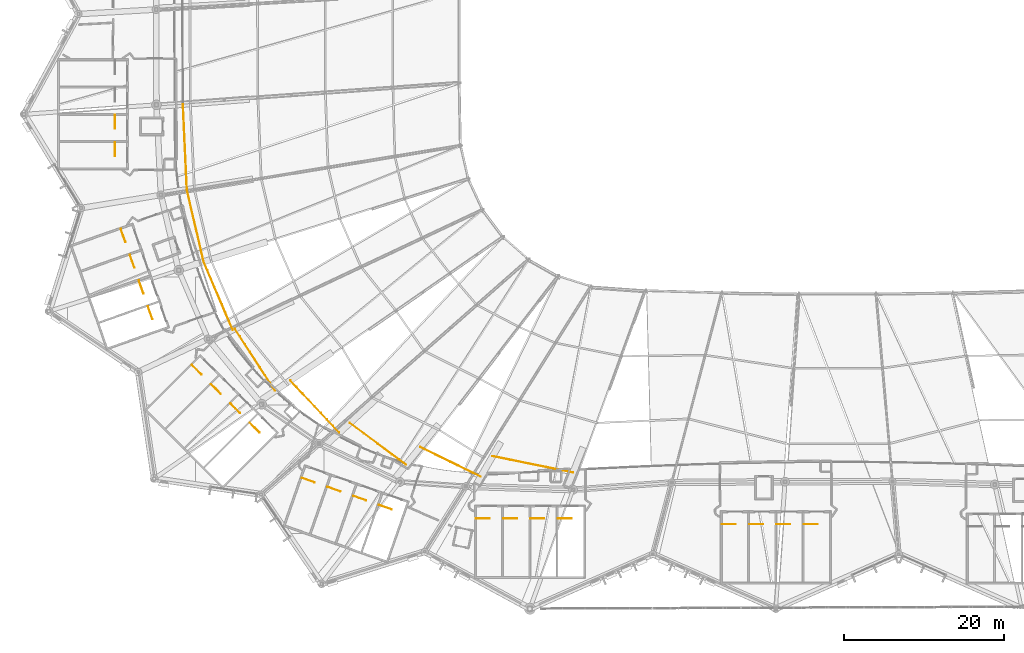
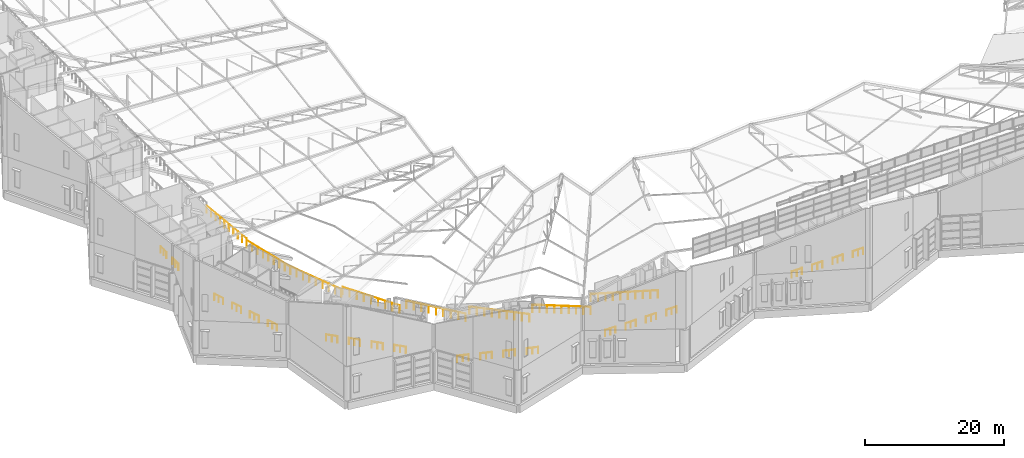
# One storey, part 338 of 344: 30 railings.
"""IFC4 building model written with IfcOpenShell, lengths in metres."""

from ifc_helpers import new_model, si_unit, direction, frame, origin, origin_2d, place, context, subcontext, project, spatial, circle, extrude, material, type_object, element, save


model = new_model("IFC4")

# Units and contexts
model_context = context("Model", 3, precision=1e-05, world=origin(), true_north=direction((0.0, 1.0)))
body_context = subcontext(model_context, "Body", "Model", "MODEL_VIEW")
ifc_project = project(units=[si_unit("LENGTHUNIT", "METRE"), si_unit("AREAUNIT", "SQUARE_METRE"), si_unit("VOLUMEUNIT", "CUBIC_METRE"), si_unit("PLANEANGLEUNIT", "RADIAN"), si_unit("MASSUNIT", "GRAM", prefix="KILO")], contexts=[model_context])

# Site, building, storey
site_placement = place(None, origin())
site = spatial("IfcSite", under=ifc_project, at=site_placement, CompositionType="ELEMENT")
building_placement = place(site_placement, origin())
building = spatial("IfcBuilding", under=site, at=building_placement, Name="Meseta Stadium", CompositionType="ELEMENT")
storey_placement = place(building_placement, frame((0.0, 0.0, 24.0)))
storey = spatial("IfcBuildingStorey", under=building, at=storey_placement, Name="L04", CompositionType="ELEMENT", Elevation=24.0)

# Railings
ifc_material_1 = material(Name="Steel S355", Category="steel")
railing_type_1 = type_object("IfcRailingType", Name="Stair guard 1100", PredefinedType="GUARDRAIL", material=ifc_material_1)
for number, where, name in (
    (1, (-90.050048828125, -43.85009765625, 0.0), "ST75 L04 well guard 1"),
    (2, (-90.050048828125, -47.25, 0.0), "ST76 L04 well guard 1"),
):
    element("IfcRailing", number, at=place(storey_placement, frame(where)), inside=storey, type_object=railing_type_1, Name=name, PredefinedType="GUARDRAIL", context=body_context, shape_type="SweptSolid", body=[
        extrude(circle(Radius=0.02392578125, at=origin_2d()), frame((0.0, 0.0, 1.076171875), z_axis=(0.0, -1.0, 0.0), x_axis=(1.0, 0.0, 0.0)), (0.0, 0.0, 1.0), 1.699951171875),
        extrude(circle(Radius=0.02099609375, at=origin_2d()), origin(), (0.0, 0.0, 1.0), 1.052001953125),
        extrude(circle(Radius=0.02099609375, at=origin_2d()), frame((0.0, -0.85009765625, 0.0)), (0.0, 0.0, 1.0), 1.052001953125),
        extrude(circle(Radius=0.02099609375, at=origin_2d()), frame((0.0, -1.699951171875, 0.0)), (0.0, 0.0, 1.0), 1.052001953125),
    ])
for number, where, name in (
    (3, (-89.319091796875, -58.0595703125, 0.0), "ST77 L04 well guard 1"),
    (4, (-88.196044921875, -61.268798828125, 0.0), "ST78 L04 well guard 1"),
):
    element("IfcRailing", number, at=place(storey_placement, frame(where)), inside=storey, type_object=railing_type_1, Name=name, PredefinedType="GUARDRAIL", context=body_context, shape_type="SweptSolid", body=[
        extrude(circle(Radius=0.02392578125, at=origin_2d()), frame((0.0, 0.0, 1.076171875), z_axis=(0.330280062995, -0.943882980029, 0.0), x_axis=(0.943882980029, 0.330280062995, 0.0)), (0.0, 0.0, 1.0), 1.7001953125),
        extrude(circle(Radius=0.02099609375, at=origin_2d()), origin(), (0.0, 0.0, 1.0), 1.052001953125),
        extrude(circle(Radius=0.02099609375, at=origin_2d()), frame((0.28076171875, -0.80224609375, 0.0)), (0.0, 0.0, 1.0), 1.052001953125),
        extrude(circle(Radius=0.02099609375, at=origin_2d()), frame((0.5615234375, -1.604736328125, 0.0)), (0.0, 0.0, 1.0), 1.052001953125),
    ])
railing_1_placement = place(storey_placement, frame((-87.072998046875, -64.47802734375, 0.0)))
element("IfcRailing", 5, at=railing_1_placement, inside=storey, type_object=railing_type_1, Name="ST79 L04 well guard 1", PredefinedType="GUARDRAIL", context=body_context, shape_type="SweptSolid", body=[
    extrude(circle(Radius=0.02392578125, at=origin_2d()), frame((0.0, 0.0, 1.076171875), z_axis=(0.330152118464, -0.943927740176, 0.0), x_axis=(0.943927740176, 0.330152118464, 0.0)), (0.0, 0.0, 1.0), 1.699951171875),
    extrude(circle(Radius=0.02099609375, at=origin_2d()), origin(), (0.0, 0.0, 1.0), 1.052001953125),
    extrude(circle(Radius=0.02099609375, at=origin_2d()), frame((0.28076171875, -0.80224609375, 0.0)), (0.0, 0.0, 1.0), 1.052001953125),
    extrude(circle(Radius=0.02099609375, at=origin_2d()), frame((0.561279296875, -1.604736328125, 0.0)), (0.0, 0.0, 1.0), 1.052001953125),
])
railing_2_placement = place(storey_placement, frame((-85.9501953125, -67.687255859375, 0.0)))
element("IfcRailing", 6, at=railing_2_placement, inside=storey, type_object=railing_type_1, Name="ST80 L04 well guard 1", PredefinedType="GUARDRAIL", context=body_context, shape_type="SweptSolid", body=[
    extrude(circle(Radius=0.02392578125, at=origin_2d()), frame((0.0, 0.0, 1.076171875), z_axis=(0.330324835387, -0.943867312246, 0.0), x_axis=(0.943867312246, 0.330324835387, 0.0)), (0.0, 0.0, 1.0), 1.699951171875),
    extrude(circle(Radius=0.02099609375, at=origin_2d()), origin(), (0.0, 0.0, 1.0), 1.052001953125),
    extrude(circle(Radius=0.02099609375, at=origin_2d()), frame((0.28076171875, -0.80224609375, 0.0)), (0.0, 0.0, 1.0), 1.052001953125),
    extrude(circle(Radius=0.02099609375, at=origin_2d()), frame((0.5615234375, -1.6044921875, 0.0)), (0.0, 0.0, 1.0), 1.052001953125),
])
railing_3_placement = place(storey_placement, frame((-80.471435546875, -74.996337890625, 0.0)))
element("IfcRailing", 7, at=railing_3_placement, inside=storey, type_object=railing_type_1, Name="ST81 L04 well guard 1", PredefinedType="GUARDRAIL", context=body_context, shape_type="SweptSolid", body=[
    extrude(circle(Radius=0.02392578125, at=origin_2d()), frame((0.0, 0.0, 1.076171875), z_axis=(0.707178586901, -0.707034968179, 0.0), x_axis=(0.707034968179, 0.707178586901, 0.0)), (0.0, 0.0, 1.0), 1.699951171875),
    extrude(circle(Radius=0.02099609375, at=origin_2d()), origin(), (0.0, 0.0, 1.0), 1.052001953125),
    extrude(circle(Radius=0.02099609375, at=origin_2d()), frame((0.60107421875, -0.60107421875, 0.0)), (0.0, 0.0, 1.0), 1.052001953125),
    extrude(circle(Radius=0.02099609375, at=origin_2d()), frame((1.2021484375, -1.201904296875, 0.0)), (0.0, 0.0, 1.0), 1.052001953125),
])
for number, where, name in (
    (8, (-78.0673828125, -77.400390625, 0.0), "ST82 L04 well guard 1"),
    (9, (-75.6630859375, -79.804443359375, 0.0), "ST83 L04 well guard 1"),
    (10, (-73.259033203125, -82.208740234375, 0.0), "ST84 L04 well guard 1"),
):
    element("IfcRailing", number, at=place(storey_placement, frame(where)), inside=storey, type_object=railing_type_1, Name=name, PredefinedType="GUARDRAIL", context=body_context, shape_type="SweptSolid", body=[
        extrude(circle(Radius=0.02392578125, at=origin_2d()), frame((0.0, 0.0, 1.076171875), z_axis=(0.707106781187, -0.707106781187, 0.0), x_axis=(0.707106781187, 0.707106781187, 0.0)), (0.0, 0.0, 1.0), 1.7001953125),
        extrude(circle(Radius=0.02099609375, at=origin_2d()), origin(), (0.0, 0.0, 1.0), 1.052001953125),
        extrude(circle(Radius=0.02099609375, at=origin_2d()), frame((0.60107421875, -0.60107421875, 0.0)), (0.0, 0.0, 1.0), 1.052001953125),
        extrude(circle(Radius=0.02099609375, at=origin_2d()), frame((1.2021484375, -1.2021484375, 0.0)), (0.0, 0.0, 1.0), 1.052001953125),
    ])
railing_4_placement = place(storey_placement, frame((-66.773681640625, -89.08203125, 0.0)))
element("IfcRailing", 11, at=railing_4_placement, inside=storey, type_object=railing_type_1, Name="ST85 L04 well guard 1", PredefinedType="GUARDRAIL", context=body_context, shape_type="SweptSolid", body=[
    extrude(circle(Radius=0.02392578125, at=origin_2d()), frame((0.0, 0.0, 1.076171875), z_axis=(0.943867312246, -0.330324835387, 0.0), x_axis=(0.330324835387, 0.943867312246, 0.0)), (0.0, 0.0, 1.0), 1.699951171875),
    extrude(circle(Radius=0.02099609375, at=origin_2d()), origin(), (0.0, 0.0, 1.0), 1.052001953125),
    extrude(circle(Radius=0.02099609375, at=origin_2d()), frame((0.80224609375, -0.28076171875, 0.0)), (0.0, 0.0, 1.0), 1.052001953125),
    extrude(circle(Radius=0.02099609375, at=origin_2d()), frame((1.6044921875, -0.5615234375, 0.0)), (0.0, 0.0, 1.0), 1.052001953125),
])
railing_5_placement = place(storey_placement, frame((-63.564453125, -90.205078125, 0.0)))
element("IfcRailing", 12, at=railing_5_placement, inside=storey, type_object=railing_type_1, Name="ST86 L04 well guard 1", PredefinedType="GUARDRAIL", context=body_context, shape_type="SweptSolid", body=[
    extrude(circle(Radius=0.02392578125, at=origin_2d()), frame((0.0, 0.0, 1.076171875), z_axis=(0.943912083787, -0.330196877758, 0.0), x_axis=(0.330196877758, 0.943912083787, 0.0)), (0.0, 0.0, 1.0), 1.699951171875),
    extrude(circle(Radius=0.02099609375, at=origin_2d()), origin(), (0.0, 0.0, 1.0), 1.052001953125),
    extrude(circle(Radius=0.02099609375, at=origin_2d()), frame((0.80224609375, -0.28076171875, 0.0)), (0.0, 0.0, 1.0), 1.052001953125),
    extrude(circle(Radius=0.02099609375, at=origin_2d()), frame((1.6044921875, -0.561279296875, 0.0)), (0.0, 0.0, 1.0), 1.052001953125),
])
for number, where, name in (
    (13, (-60.355224609375, -91.327880859375, 0.0), "ST87 L04 well guard 1"),
    (14, (-57.14599609375, -92.450927734375, 0.0), "ST88 L04 well guard 1"),
):
    element("IfcRailing", number, at=place(storey_placement, frame(where)), inside=storey, type_object=railing_type_1, Name=name, PredefinedType="GUARDRAIL", context=body_context, shape_type="SweptSolid", body=[
        extrude(circle(Radius=0.02392578125, at=origin_2d()), frame((0.0, 0.0, 1.076171875), z_axis=(0.943867312246, -0.330324835387, 0.0), x_axis=(0.330324835387, 0.943867312246, 0.0)), (0.0, 0.0, 1.0), 1.699951171875),
        extrude(circle(Radius=0.02099609375, at=origin_2d()), origin(), (0.0, 0.0, 1.0), 1.052001953125),
        extrude(circle(Radius=0.02099609375, at=origin_2d()), frame((0.80224609375, -0.28076171875, 0.0)), (0.0, 0.0, 1.0), 1.052001953125),
        extrude(circle(Radius=0.02099609375, at=origin_2d()), frame((1.6044921875, -0.5615234375, 0.0)), (0.0, 0.0, 1.0), 1.052001953125),
    ])
railing_6_placement = place(storey_placement, frame((-45.033447265625, -94.14990234375, 0.0)))
element("IfcRailing", 15, at=railing_6_placement, inside=storey, type_object=railing_type_1, Name="ST89 L04 well guard 1", PredefinedType="GUARDRAIL", context=body_context, shape_type="SweptSolid", body=[
    extrude(circle(Radius=0.02392578125, at=origin_2d()), frame((0.0, 0.0, 1.076171875), z_axis=(1.0, 0.0, 0.0), x_axis=(0.0, 1.0, 0.0)), (0.0, 0.0, 1.0), 1.7001953125),
    extrude(circle(Radius=0.02099609375, at=origin_2d()), origin(), (0.0, 0.0, 1.0), 1.052001953125),
    extrude(circle(Radius=0.02099609375, at=origin_2d()), frame((0.85009765625, 0.0, 0.0)), (0.0, 0.0, 1.0), 1.052001953125),
    extrude(circle(Radius=0.02099609375, at=origin_2d()), frame((1.7001953125, 0.0, 0.0)), (0.0, 0.0, 1.0), 1.052001953125),
])
for number, where, name in (
    (16, (-41.63330078125, -94.14990234375, 0.0), "ST90 L04 well guard 1"),
    (17, (-38.2333984375, -94.14990234375, 0.0), "ST91 L04 well guard 1"),
    (18, (-34.833251953125, -94.14990234375, 0.0), "ST92 L04 well guard 1"),
    (19, (-14.36669921875, -94.85009765625, 0.0), "ST93 L04 well guard 1"),
    (20, (-10.966552734375, -94.85009765625, 0.0), "ST94 L04 well guard 1"),
    (21, (-7.566650390625, -94.85009765625, 0.0), "ST95 L04 well guard 1"),
):
    element("IfcRailing", number, at=place(storey_placement, frame(where)), inside=storey, type_object=railing_type_1, Name=name, PredefinedType="GUARDRAIL", context=body_context, shape_type="SweptSolid", body=[
        extrude(circle(Radius=0.02392578125, at=origin_2d()), frame((0.0, 0.0, 1.076171875), z_axis=(1.0, 0.0, 0.0), x_axis=(0.0, 1.0, 0.0)), (0.0, 0.0, 1.0), 1.699951171875),
        extrude(circle(Radius=0.02099609375, at=origin_2d()), origin(), (0.0, 0.0, 1.0), 1.052001953125),
        extrude(circle(Radius=0.02099609375, at=origin_2d()), frame((0.85009765625, 0.0, 0.0)), (0.0, 0.0, 1.0), 1.052001953125),
        extrude(circle(Radius=0.02099609375, at=origin_2d()), frame((1.699951171875, 0.0, 0.0)), (0.0, 0.0, 1.0), 1.052001953125),
    ])
railing_7_placement = place(storey_placement, frame((-4.166748046875, -94.85009765625, 0.0)))
element("IfcRailing", 22, at=railing_7_placement, inside=storey, type_object=railing_type_1, Name="ST96 L04 well guard 1", PredefinedType="GUARDRAIL", context=body_context, shape_type="SweptSolid", body=[
    extrude(circle(Radius=0.02392578125, at=origin_2d()), frame((0.0, 0.0, 1.076171875), z_axis=(1.0, 0.0, 0.0), x_axis=(0.0, 1.0, 0.0)), (0.0, 0.0, 1.0), 1.7001953125),
    extrude(circle(Radius=0.02099609375, at=origin_2d()), origin(), (0.0, 0.0, 1.0), 1.052001953125),
    extrude(circle(Radius=0.02099609375, at=origin_2d()), frame((0.85009765625, 0.0, 0.0)), (0.0, 0.0, 1.0), 1.052001953125),
    extrude(circle(Radius=0.02099609375, at=origin_2d()), frame((1.7001953125, 0.0, 0.0)), (0.0, 0.0, 1.0), 1.052001953125),
])
ifc_material_2 = material(Name="Steel S355", Category="steel")
railing_type_2 = type_object("IfcRailingType", Name="Stand rear guard 1300", PredefinedType="GUARDRAIL", material=ifc_material_2)
railing_8_placement = place(storey_placement, frame((-81.58056640625, -42.48974609375, 3.18310546875)))
element("IfcRailing", 23, at=railing_8_placement, inside=storey, type_object=railing_type_2, Name="Stand upper tier rear guard bay 37", PredefinedType="GUARDRAIL", context=body_context, shape_type="SweptSolid", body=[
    extrude(circle(Radius=0.02490234375, at=origin_2d()), frame((0.0, 0.0, 1.27490234375), z_axis=(0.046116354066, -0.997923166182, 0.044973728841), x_axis=(0.99893391753, 0.04616306324, 0.0)), (0.0, 0.0, 1.0), 10.683349609375),
    extrude(circle(Radius=0.02001953125, at=origin_2d()), origin(), (0.0, 0.0, 1.0), 1.25),
    extrude(circle(Radius=0.02001953125, at=origin_2d()), frame((0.0546875, -1.1845703125, 0.053466796875)), (0.0, 0.0, 1.0), 1.25),
    extrude(circle(Radius=0.02001953125, at=origin_2d()), frame((0.109375, -2.369140625, 0.106689453125)), (0.0, 0.0, 1.0), 1.25),
    extrude(circle(Radius=0.02001953125, at=origin_2d()), frame((0.164306640625, -3.5537109375, 0.16015625)), (0.0, 0.0, 1.0), 1.25),
    extrude(circle(Radius=0.02001953125, at=origin_2d()), frame((0.218994140625, -4.73828125, 0.213623046875)), (0.0, 0.0, 1.0), 1.25),
    extrude(circle(Radius=0.02001953125, at=origin_2d()), frame((0.273681640625, -5.9228515625, 0.266845703125)), (0.0, 0.0, 1.0), 1.25),
    extrude(circle(Radius=0.02001953125, at=origin_2d()), frame((0.328369140625, -7.107421875, 0.3203125)), (0.0, 0.0, 1.0), 1.25),
    extrude(circle(Radius=0.02001953125, at=origin_2d()), frame((0.38330078125, -8.2919921875, 0.373779296875)), (0.0, 0.0, 1.0), 1.25),
    extrude(circle(Radius=0.02001953125, at=origin_2d()), frame((0.43798828125, -9.4765625, 0.427001953125)), (0.0, 0.0, 1.0), 1.25),
    extrude(circle(Radius=0.02001953125, at=origin_2d()), frame((0.49267578125, -10.6611328125, 0.48046875)), (0.0, 0.0, 1.0), 1.25),
])
railing_9_placement = place(storey_placement, frame((-81.087890625, -53.15087890625, 3.386962890625)))
element("IfcRailing", 24, at=railing_9_placement, inside=storey, type_object=railing_type_2, Name="Stand upper tier rear guard bay 38", PredefinedType="GUARDRAIL", context=body_context, shape_type="SweptSolid", body=[
    extrude(circle(Radius=0.02490234375, at=origin_2d()), frame((0.0, 0.0, 1.27490234375), z_axis=(0.227072763865, -0.973876320861, 0.001694572865), x_axis=(0.973877719144, 0.227073089894, 0.0)), (0.0, 0.0, 1.0), 9.220703125),
    extrude(circle(Radius=0.02001953125, at=origin_2d()), origin(), (0.0, 0.0, 1.0), 1.25),
    extrude(circle(Radius=0.02001953125, at=origin_2d()), frame((0.26171875, -1.12255859375, 0.001953125)), (0.0, 0.0, 1.0), 1.25),
    extrude(circle(Radius=0.02001953125, at=origin_2d()), frame((0.5234375, -2.244873046875, 0.00390625)), (0.0, 0.0, 1.0), 1.25),
    extrude(circle(Radius=0.02001953125, at=origin_2d()), frame((0.78515625, -3.367431640625, 0.005859375)), (0.0, 0.0, 1.0), 1.25),
    extrude(circle(Radius=0.02001953125, at=origin_2d()), frame((1.046875, -4.48974609375, 0.0078125)), (0.0, 0.0, 1.0), 1.25),
    extrude(circle(Radius=0.02001953125, at=origin_2d()), frame((1.30859375, -5.6123046875, 0.009765625)), (0.0, 0.0, 1.0), 1.25),
    extrude(circle(Radius=0.02001953125, at=origin_2d()), frame((1.5703125, -6.73486328125, 0.01171875)), (0.0, 0.0, 1.0), 1.25),
    extrude(circle(Radius=0.02001953125, at=origin_2d()), frame((1.83203125, -7.857177734375, 0.013671875)), (0.0, 0.0, 1.0), 1.25),
    extrude(circle(Radius=0.02001953125, at=origin_2d()), frame((2.09375, -8.979736328125, 0.015625)), (0.0, 0.0, 1.0), 1.25),
])
railing_10_placement = place(storey_placement, frame((-78.994140625, -62.130615234375, 3.471923828125)))
element("IfcRailing", 25, at=railing_10_placement, inside=storey, type_object=railing_type_2, Name="Stand upper tier rear guard bay 39", PredefinedType="GUARDRAIL", context=body_context, shape_type="SweptSolid", body=[
    extrude(circle(Radius=0.02490234375, at=origin_2d()), frame((0.0, 0.0, 1.27490234375), z_axis=(0.391678969122, -0.919949530111, -0.016746557748), x_axis=(0.920078555883, 0.391733903312, 0.0)), (0.0, 0.0, 1.0), 9.228271484375),
    extrude(circle(Radius=0.02001953125, at=origin_2d()), origin(), (0.0, 0.0, 1.0), 1.25),
    extrude(circle(Radius=0.02001953125, at=origin_2d()), frame((0.451904296875, -1.061279296875, -0.019287109375)), (0.0, 0.0, 1.0), 1.25),
    extrude(circle(Radius=0.02001953125, at=origin_2d()), frame((0.903564453125, -2.122314453125, -0.03857421875)), (0.0, 0.0, 1.0), 1.25),
    extrude(circle(Radius=0.02001953125, at=origin_2d()), frame((1.35546875, -3.18359375, -0.057861328125)), (0.0, 0.0, 1.0), 1.25),
    extrude(circle(Radius=0.02001953125, at=origin_2d()), frame((1.80712890625, -4.24462890625, -0.0771484375)), (0.0, 0.0, 1.0), 1.25),
    extrude(circle(Radius=0.02001953125, at=origin_2d()), frame((2.259033203125, -5.305908203125, -0.0966796875)), (0.0, 0.0, 1.0), 1.25),
    extrude(circle(Radius=0.02001953125, at=origin_2d()), frame((2.7109375, -6.3671875, -0.115966796875)), (0.0, 0.0, 1.0), 1.25),
    extrude(circle(Radius=0.02001953125, at=origin_2d()), frame((3.16259765625, -7.42822265625, -0.13525390625)), (0.0, 0.0, 1.0), 1.25),
    extrude(circle(Radius=0.02001953125, at=origin_2d()), frame((3.614501953125, -8.489501953125, -0.154541015625)), (0.0, 0.0, 1.0), 1.25),
])
railing_11_placement = place(storey_placement, frame((-75.112548828125, -70.49169921875, 3.555419921875)))
element("IfcRailing", 26, at=railing_11_placement, inside=storey, type_object=railing_type_2, Name="Stand upper tier rear guard bay 40", PredefinedType="GUARDRAIL", context=body_context, shape_type="SweptSolid", body=[
    extrude(circle(Radius=0.02490234375, at=origin_2d()), frame((0.0, 0.0, 1.27490234375), z_axis=(0.544637168371, -0.83794002174, -0.035026772552), x_axis=(0.838454518953, 0.544971576917, 0.0)), (0.0, 0.0, 1.0), 9.214599609375),
    extrude(circle(Radius=0.02001953125, at=origin_2d()), origin(), (0.0, 0.0, 1.0), 1.25),
    extrude(circle(Radius=0.02001953125, at=origin_2d()), frame((0.62744140625, -0.965087890625, -0.040283203125)), (0.0, 0.0, 1.0), 1.25),
    extrude(circle(Radius=0.02001953125, at=origin_2d()), frame((1.254638671875, -1.93017578125, -0.08056640625)), (0.0, 0.0, 1.0), 1.25),
    extrude(circle(Radius=0.02001953125, at=origin_2d()), frame((1.8818359375, -2.8955078125, -0.12109375)), (0.0, 0.0, 1.0), 1.25),
    extrude(circle(Radius=0.02001953125, at=origin_2d()), frame((2.50927734375, -3.860595703125, -0.161376953125)), (0.0, 0.0, 1.0), 1.25),
    extrude(circle(Radius=0.02001953125, at=origin_2d()), frame((3.13671875, -4.82568359375, -0.20166015625)), (0.0, 0.0, 1.0), 1.25),
    extrude(circle(Radius=0.02001953125, at=origin_2d()), frame((3.763916015625, -5.791015625, -0.2421875)), (0.0, 0.0, 1.0), 1.25),
    extrude(circle(Radius=0.02001953125, at=origin_2d()), frame((4.39111328125, -6.756103515625, -0.282470703125)), (0.0, 0.0, 1.0), 1.25),
    extrude(circle(Radius=0.02001953125, at=origin_2d()), frame((5.0185546875, -7.72119140625, -0.32275390625)), (0.0, 0.0, 1.0), 1.25),
])
railing_12_placement = place(storey_placement, frame((-68.193115234375, -76.929443359375, 2.638427734375)))
element("IfcRailing", 27, at=railing_12_placement, inside=storey, type_object=railing_type_2, Name="Stand upper tier rear guard bay 41", PredefinedType="GUARDRAIL", context=body_context, shape_type="SweptSolid", body=[
    extrude(circle(Radius=0.02490234375, at=origin_2d()), frame((0.0, 0.0, 1.27490234375), z_axis=(0.683205851583, -0.728197123106, -0.054394064599), x_axis=(0.729276783109, 0.684218805368, 0.0)), (0.0, 0.0, 1.0), 8.931884765625),
    extrude(circle(Radius=0.02001953125, at=origin_2d()), origin(), (0.0, 0.0, 1.0), 1.25),
    extrude(circle(Radius=0.02001953125, at=origin_2d()), frame((0.7626953125, -0.81298828125, -0.060791015625)), (0.0, 0.0, 1.0), 1.25),
    extrude(circle(Radius=0.02001953125, at=origin_2d()), frame((1.525634765625, -1.6259765625, -0.12158203125)), (0.0, 0.0, 1.0), 1.25),
    extrude(circle(Radius=0.02001953125, at=origin_2d()), frame((2.288330078125, -2.43896484375, -0.18212890625)), (0.0, 0.0, 1.0), 1.25),
    extrude(circle(Radius=0.02001953125, at=origin_2d()), frame((3.05126953125, -3.251953125, -0.242919921875)), (0.0, 0.0, 1.0), 1.25),
    extrude(circle(Radius=0.02001953125, at=origin_2d()), frame((3.81396484375, -4.065185546875, -0.3037109375)), (0.0, 0.0, 1.0), 1.25),
    extrude(circle(Radius=0.02001953125, at=origin_2d()), frame((4.57666015625, -4.878173828125, -0.3642578125)), (0.0, 0.0, 1.0), 1.25),
    extrude(circle(Radius=0.02001953125, at=origin_2d()), frame((5.339599609375, -5.691162109375, -0.425048828125)), (0.0, 0.0, 1.0), 1.25),
    extrude(circle(Radius=0.02001953125, at=origin_2d()), frame((6.102294921875, -6.504150390625, -0.48583984375)), (0.0, 0.0, 1.0), 1.25),
])
railing_13_placement = place(storey_placement, frame((-60.78759765625, -82.24072265625, 2.2158203125)))
element("IfcRailing", 28, at=railing_13_placement, inside=storey, type_object=railing_type_2, Name="Stand upper tier rear guard bay 42", PredefinedType="GUARDRAIL", context=body_context, shape_type="SweptSolid", body=[
    extrude(circle(Radius=0.02490234375, at=origin_2d()), frame((0.0, 0.0, 1.27490234375), z_axis=(0.800962740226, -0.594214075961, -0.07326882488), x_axis=(0.595815492402, 0.803121347626, 0.0)), (0.0, 0.0, 1.0), 8.750244140625),
    extrude(circle(Radius=0.02001953125, at=origin_2d()), origin(), (0.0, 0.0, 1.0), 1.25),
    extrude(circle(Radius=0.02001953125, at=origin_2d()), frame((0.8759765625, -0.64990234375, -0.080078125)), (0.0, 0.0, 1.0), 1.25),
    extrude(circle(Radius=0.02001953125, at=origin_2d()), frame((1.752197265625, -1.2998046875, -0.16015625)), (0.0, 0.0, 1.0), 1.25),
    extrude(circle(Radius=0.02001953125, at=origin_2d()), frame((2.628173828125, -1.94970703125, -0.240478515625)), (0.0, 0.0, 1.0), 1.25),
    extrude(circle(Radius=0.02001953125, at=origin_2d()), frame((3.50439453125, -2.599609375, -0.320556640625)), (0.0, 0.0, 1.0), 1.25),
    extrude(circle(Radius=0.02001953125, at=origin_2d()), frame((4.38037109375, -3.249755859375, -0.400634765625)), (0.0, 0.0, 1.0), 1.25),
    extrude(circle(Radius=0.02001953125, at=origin_2d()), frame((5.25634765625, -3.899658203125, -0.48095703125)), (0.0, 0.0, 1.0), 1.25),
    extrude(circle(Radius=0.02001953125, at=origin_2d()), frame((6.132568359375, -4.549560546875, -0.56103515625)), (0.0, 0.0, 1.0), 1.25),
    extrude(circle(Radius=0.02001953125, at=origin_2d()), frame((7.008544921875, -5.199462890625, -0.64111328125)), (0.0, 0.0, 1.0), 1.25),
])
railing_14_placement = place(storey_placement, frame((-52.006103515625, -85.2431640625, 1.288330078125)))
element("IfcRailing", 29, at=railing_14_placement, inside=storey, type_object=railing_type_2, Name="Stand upper tier rear guard bay 43", PredefinedType="GUARDRAIL", context=body_context, shape_type="SweptSolid", body=[
    extrude(circle(Radius=0.02490234375, at=origin_2d()), frame((0.0, 0.0, 1.27490234375), z_axis=(0.894887665062, -0.436479057377, -0.093070400184), x_axis=(0.438381840399, 0.898788830598, 0.0)), (0.0, 0.0, 1.0), 8.438720703125),
    extrude(circle(Radius=0.02001953125, at=origin_2d()), origin(), (0.0, 0.0, 1.0), 1.25),
    extrude(circle(Radius=0.02001953125, at=origin_2d()), frame((0.94384765625, -0.46044921875, -0.09814453125)), (0.0, 0.0, 1.0), 1.25),
    extrude(circle(Radius=0.02001953125, at=origin_2d()), frame((1.887939453125, -0.9208984375, -0.1962890625)), (0.0, 0.0, 1.0), 1.25),
    extrude(circle(Radius=0.02001953125, at=origin_2d()), frame((2.83203125, -1.38134765625, -0.29443359375)), (0.0, 0.0, 1.0), 1.25),
    extrude(circle(Radius=0.02001953125, at=origin_2d()), frame((3.77587890625, -1.841796875, -0.392578125)), (0.0, 0.0, 1.0), 1.25),
    extrude(circle(Radius=0.02001953125, at=origin_2d()), frame((4.7197265625, -2.302001953125, -0.490966796875)), (0.0, 0.0, 1.0), 1.25),
    extrude(circle(Radius=0.02001953125, at=origin_2d()), frame((5.663818359375, -2.762451171875, -0.589111328125)), (0.0, 0.0, 1.0), 1.25),
    extrude(circle(Radius=0.02001953125, at=origin_2d()), frame((6.60791015625, -3.222900390625, -0.687255859375)), (0.0, 0.0, 1.0), 1.25),
    extrude(circle(Radius=0.02001953125, at=origin_2d()), frame((7.5517578125, -3.683349609375, -0.785400390625)), (0.0, 0.0, 1.0), 1.25),
])
railing_15_placement = place(storey_placement, frame((-42.97998046875, -86.376220703125, 0.70263671875)))
element("IfcRailing", 30, at=railing_15_placement, inside=storey, type_object=railing_type_2, Name="Stand upper tier rear guard bay 44", PredefinedType="GUARDRAIL", context=body_context, shape_type="SweptSolid", body=[
    extrude(circle(Radius=0.02490234375, at=origin_2d()), frame((0.0, 0.0, 1.27490234375), z_axis=(0.968175794174, -0.197036068261, -0.154312732398), x_axis=(0.199424767209, 0.979913140142, 0.0)), (0.0, 0.0, 1.0), 10.365966796875),
    extrude(circle(Radius=0.02001953125, at=origin_2d()), origin(), (0.0, 0.0, 1.0), 1.25),
    extrude(circle(Radius=0.02001953125, at=origin_2d()), frame((1.115234375, -0.22705078125, -0.177734375)), (0.0, 0.0, 1.0), 1.25),
    extrude(circle(Radius=0.02001953125, at=origin_2d()), frame((2.230224609375, -0.453857421875, -0.35546875)), (0.0, 0.0, 1.0), 1.25),
    extrude(circle(Radius=0.02001953125, at=origin_2d()), frame((3.345458984375, -0.680908203125, -0.533203125)), (0.0, 0.0, 1.0), 1.25),
    extrude(circle(Radius=0.02001953125, at=origin_2d()), frame((4.46044921875, -0.90771484375, -0.7109375)), (0.0, 0.0, 1.0), 1.25),
    extrude(circle(Radius=0.02001953125, at=origin_2d()), frame((5.57568359375, -1.134765625, -0.888671875)), (0.0, 0.0, 1.0), 1.25),
    extrude(circle(Radius=0.02001953125, at=origin_2d()), frame((6.690673828125, -1.361572265625, -1.06640625)), (0.0, 0.0, 1.0), 1.25),
    extrude(circle(Radius=0.02001953125, at=origin_2d()), frame((7.805908203125, -1.588623046875, -1.244140625)), (0.0, 0.0, 1.0), 1.25),
    extrude(circle(Radius=0.02001953125, at=origin_2d()), frame((8.9208984375, -1.8154296875, -1.421875)), (0.0, 0.0, 1.0), 1.25),
    extrude(circle(Radius=0.02001953125, at=origin_2d()), frame((10.0361328125, -2.04248046875, -1.599609375)), (0.0, 0.0, 1.0), 1.25),
])

save(model, "model.ifc")
